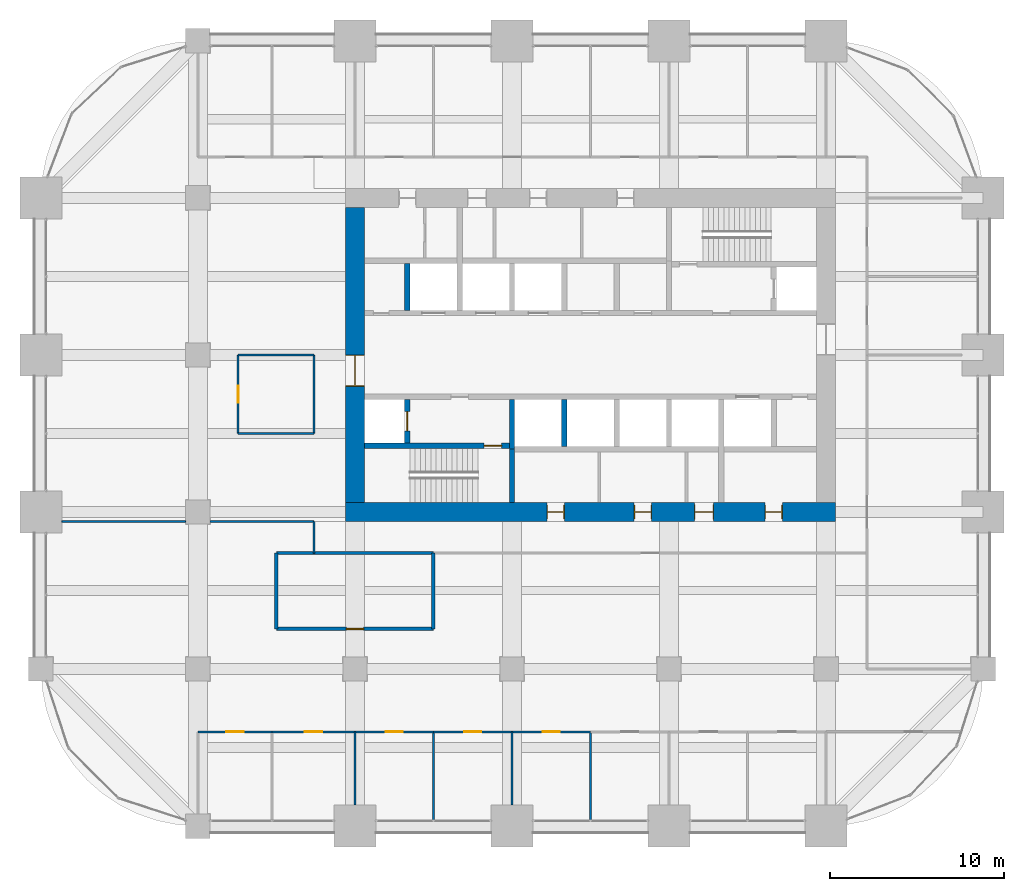
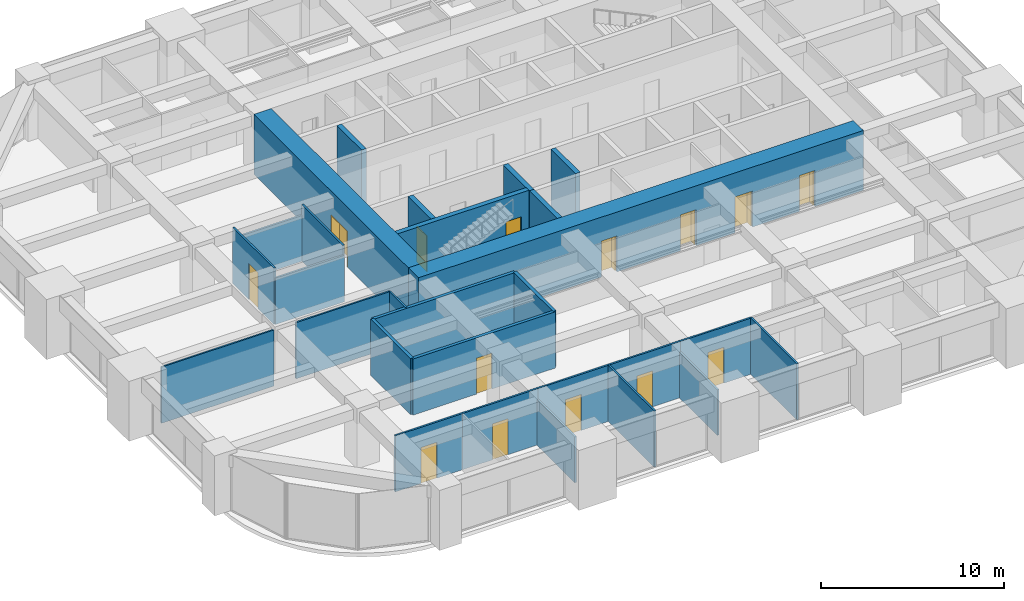
# One storey, part 29 of 33: 28 walls, 14 doors, 14 openings.
"""IFC4 building model written with IfcOpenShell, lengths in metres."""

from ifc_helpers import new_model, si_unit, direction, frame, frame_2d, origin, place, context, subcontext, project, spatial, rectangle, extrude, material, layer, layer_set, type_object, element, fill, save


model = new_model("IFC4")

# Units and contexts
model_context = context("Model", 3, precision=1e-05, world=origin(), true_north=direction((0.0, 1.0)))
body_context = subcontext(model_context, "Body", "Model", "MODEL_VIEW")
ifc_project = project(units=[si_unit("LENGTHUNIT", "METRE"), si_unit("AREAUNIT", "SQUARE_METRE"), si_unit("VOLUMEUNIT", "CUBIC_METRE"), si_unit("PLANEANGLEUNIT", "RADIAN"), si_unit("MASSUNIT", "GRAM", prefix="KILO")], contexts=[model_context])

# Site, building, storey
site_placement = place(None, origin())
site = spatial("IfcSite", under=ifc_project, at=site_placement, CompositionType="ELEMENT")
building_placement = place(site_placement, origin())
building = spatial("IfcBuilding", under=site, at=building_placement, Name="Zorevar Civic Tower", CompositionType="ELEMENT")
storey_placement = place(building_placement, frame((0.0, 0.0, 206.199951171875)))
storey = spatial("IfcBuildingStorey", under=building, at=storey_placement, Name="L50", CompositionType="ELEMENT", Elevation=206.199951171875)

# Wall, opening, door
ifc_material_1 = material(Name="Concrete blockwork", Category="masonry")
ifc_layer_1 = layer(ifc_material_1, 0.199951171875)
ifc_layer_set_1 = layer_set([ifc_layer_1], Name="Blockwork wall 200")
wall_type_1 = type_object("IfcWallType", Name="Blockwork wall 200", PredefinedType="SOLIDWALL", material=ifc_layer_set_1)
wall_1_placement = place(storey_placement, frame((13.5, 11.300048828125, 0.0), z_axis=(0.0, 0.0, 1.0), x_axis=(1.0, 0.0, 0.0)))
wall_1 = element("IfcWall", 1, at=wall_1_placement, inside=storey, type_object=wall_type_1, Name="Blockwork wall 200 L50", PredefinedType="SOLIDWALL", context=body_context, shape_type="SweptSolid", body=[
    extrude(rectangle(XDim=9.0, YDim=0.199951171875, at=frame_2d((4.5, 0.0))), origin(), (0.0, 0.0, 1.0), 3.75),
])
opening_1_placement = place(wall_1_placement, frame((4.0, 0.0, 0.0)))
opening_1 = element("IfcOpeningElement", 2, at=opening_1_placement, cuts=wall_1, Name="Opening L50.26", PredefinedType="OPENING", context=body_context, shape_type="SweptSolid", body=[
    extrude(rectangle(XDim=1.0, YDim=2.39990234375, at=frame_2d((0.5, 1.199951171875))), frame((0.0, 0.10986328125, 0.0), z_axis=(0.0, -1.0, 0.0), x_axis=(1.0, 0.0, 0.0)), (0.0, 0.0, 1.0), 0.219970703125),
])
ifc_material_2 = material(Name="Steel door set", Category="steel")
door_type_1 = type_object("IfcDoorType", Name="Security door SD1 1000x2400", OperationType="SINGLE_SWING_LEFT", PredefinedType="DOOR", material=ifc_material_2)
door_1_placement = place(opening_1_placement, origin())
door_1 = element("IfcDoor", 3, at=door_1_placement, inside=storey, type_object=door_type_1, Name="Door L50 D1", OperationType="SINGLE_SWING_LEFT", OverallHeight=2.39990234375, OverallWidth=1.0, PredefinedType="DOOR", context=body_context, shape_type="SweptSolid", body=[
    extrude(rectangle(XDim=1.0, YDim=2.39990234375, at=frame_2d((0.5, 1.199951171875))), frame((0.0, 0.03515625, 0.0), z_axis=(0.0, -1.0, 0.0), x_axis=(1.0, 0.0, 0.0)), (0.0, 0.0, 1.0), 0.070068359375),
])
fill(opening_1, door_1)

# Walls
wall_2_placement = place(storey_placement, frame((13.5, 15.64990234375, 0.0), z_axis=(0.0, 0.0, 1.0), x_axis=(1.0, 0.0, 0.0)))
element("IfcWall", 4, at=wall_2_placement, inside=storey, type_object=wall_type_1, Name="Blockwork wall 200 L50", PredefinedType="SOLIDWALL", context=body_context, shape_type="SweptSolid", body=[
    extrude(rectangle(XDim=9.0, YDim=0.199951171875, at=frame_2d((4.5, 0.0))), origin(), (0.0, 0.0, 1.0), 3.75),
])
for number, where, z_axis, x_axis, name in (
    (5, (13.5, 11.300048828125, 0.0), (0.0, 0.0, 1.0), (0.0, 1.0, 0.0), "Blockwork wall 200 L50"),
    (6, (22.5, 11.300048828125, 0.0), (0.0, 0.0, 1.0), (0.0, 1.0, 0.0), "Blockwork wall 200 L50"),
):
    element("IfcWall", number, at=place(storey_placement, frame(where, z_axis=z_axis, x_axis=x_axis)), inside=storey, type_object=wall_type_1, Name=name, PredefinedType="SOLIDWALL", context=body_context, shape_type="SweptSolid", body=[
        extrude(rectangle(XDim=4.349853515625, YDim=0.199951171875, at=frame_2d((2.1748046875, 0.0))), origin(), (0.0, 0.0, 1.0), 3.75),
    ])

# Wall, openings, doors
ifc_material_3 = material(Name="Concrete C50/60", Category="concrete")
ifc_layer_2 = layer(ifc_material_3, 1.10009765625)
ifc_layer_set_2 = layer_set([ifc_layer_2], Name="Core wall 1100")
wall_type_2 = type_object("IfcWallType", Name="Core wall 1100", PredefinedType="SHEAR", material=ifc_layer_set_2)
wall_3_placement = place(storey_placement, frame((17.449951171875, 18.0, 0.0), z_axis=(0.0, 0.0, 1.0), x_axis=(1.0, 0.0, 0.0)))
wall_3 = element("IfcWall", 7, at=wall_3_placement, inside=storey, type_object=wall_type_2, Name="Core wall S L50", PredefinedType="SHEAR", context=body_context, shape_type="SweptSolid", body=[
    extrude(rectangle(XDim=28.10009765625, YDim=1.10009765625, at=frame_2d((14.050048828125, 0.0))), origin(), (0.0, 0.0, 1.0), 4.0),
])
opening_2_placement = place(wall_3_placement, frame((11.550048828125, 0.0, 0.0)))
opening_2 = element("IfcOpeningElement", 8, at=opening_2_placement, cuts=wall_3, Name="Opening L50.03", PredefinedType="OPENING", context=body_context, shape_type="SweptSolid", body=[
    extrude(rectangle(XDim=1.0, YDim=2.39990234375, at=frame_2d((0.5, 1.199951171875))), frame((0.0, 0.56005859375, 0.0), z_axis=(0.0, -1.0, 0.0), x_axis=(1.0, 0.0, 0.0)), (0.0, 0.0, 1.0), 1.1201171875),
])
opening_3_placement = place(wall_3_placement, frame((16.550048828125, 0.0, 0.0)))
opening_3 = element("IfcOpeningElement", 9, at=opening_3_placement, cuts=wall_3, Name="Opening L50.04", PredefinedType="OPENING", context=body_context, shape_type="SweptSolid", body=[
    extrude(rectangle(XDim=1.0, YDim=2.39990234375, at=frame_2d((0.5, 1.199951171875))), frame((0.0, 0.56005859375, 0.0), z_axis=(0.0, -1.0, 0.0), x_axis=(1.0, 0.0, 0.0)), (0.0, 0.0, 1.0), 1.1201171875),
])
opening_4_placement = place(wall_3_placement, frame((20.0, 0.0, 0.0)))
opening_4 = element("IfcOpeningElement", 10, at=opening_4_placement, cuts=wall_3, Name="Opening L50.05", PredefinedType="OPENING", context=body_context, shape_type="SweptSolid", body=[
    extrude(rectangle(XDim=1.10009765625, YDim=2.39990234375, at=frame_2d((0.550048828125, 1.199951171875))), frame((0.0, 0.56005859375, 0.0), z_axis=(0.0, -1.0, 0.0), x_axis=(1.0, 0.0, 0.0)), (0.0, 0.0, 1.0), 1.1201171875),
])
opening_5_placement = place(wall_3_placement, frame((24.050048828125, 0.0, 0.0)))
opening_5 = element("IfcOpeningElement", 11, at=opening_5_placement, cuts=wall_3, Name="Opening L50.06", PredefinedType="OPENING", context=body_context, shape_type="SweptSolid", body=[
    extrude(rectangle(XDim=1.0, YDim=2.39990234375, at=frame_2d((0.5, 1.199951171875))), frame((0.0, 0.56005859375, 0.0), z_axis=(0.0, -1.0, 0.0), x_axis=(1.0, 0.0, 0.0)), (0.0, 0.0, 1.0), 1.1201171875),
])
ifc_material_4 = material(Name="Timber door set", Category="wood")
door_type_2 = type_object("IfcDoorType", Name="Door D1 1000x2400", OperationType="SINGLE_SWING_LEFT", PredefinedType="DOOR", material=ifc_material_4)
door_2_placement = place(opening_2_placement, origin())
door_2 = element("IfcDoor", 12, at=door_2_placement, inside=storey, type_object=door_type_2, Name="Door L50 02", OperationType="SINGLE_SWING_RIGHT", OverallHeight=2.39990234375, OverallWidth=1.0, PredefinedType="DOOR", context=body_context, shape_type="SweptSolid", body=[
    extrude(rectangle(XDim=1.0, YDim=2.39990234375, at=frame_2d((0.5, 1.199951171875))), frame((0.0, 0.02490234375, 0.0), z_axis=(0.0, -1.0, 0.0), x_axis=(1.0, 0.0, 0.0)), (0.0, 0.0, 1.0), 0.050048828125),
    extrude(rectangle(XDim=0.04, YDim=2.39990234375, at=frame_2d((0.02001953125, 1.199951171875))), frame((0.0, 0.39990234375, 0.0), z_axis=(0.0, -1.0, 0.0), x_axis=(1.0, 0.0, 0.0)), (0.0, 0.0, 1.0), 0.800048828125),
    extrude(rectangle(XDim=0.04, YDim=2.39990234375, at=frame_2d((0.97998046875, 1.199951171875))), frame((0.0, 0.39990234375, 0.0), z_axis=(0.0, -1.0, 0.0), x_axis=(1.0, 0.0, 0.0)), (0.0, 0.0, 1.0), 0.800048828125),
    extrude(rectangle(XDim=1.0, YDim=0.04, at=frame_2d((0.5, 2.3798828125))), frame((0.0, 0.39990234375, 0.0), z_axis=(0.0, -1.0, 0.0), x_axis=(1.0, 0.0, 0.0)), (0.0, 0.0, 1.0), 0.800048828125),
])
fill(opening_2, door_2)
door_3_placement = place(opening_3_placement, origin())
door_3 = element("IfcDoor", 13, at=door_3_placement, inside=storey, type_object=door_type_2, Name="Door L50 03", OperationType="SINGLE_SWING_LEFT", OverallHeight=2.39990234375, OverallWidth=1.0, PredefinedType="DOOR", context=body_context, shape_type="SweptSolid", body=[
    extrude(rectangle(XDim=1.0, YDim=2.39990234375, at=frame_2d((0.5, 1.199951171875))), frame((0.0, 0.02490234375, 0.0), z_axis=(0.0, -1.0, 0.0), x_axis=(1.0, 0.0, 0.0)), (0.0, 0.0, 1.0), 0.050048828125),
    extrude(rectangle(XDim=0.04, YDim=2.39990234375, at=frame_2d((0.02001953125, 1.199951171875))), frame((0.0, 0.39990234375, 0.0), z_axis=(0.0, -1.0, 0.0), x_axis=(1.0, 0.0, 0.0)), (0.0, 0.0, 1.0), 0.800048828125),
    extrude(rectangle(XDim=0.04, YDim=2.39990234375, at=frame_2d((0.97998046875, 1.199951171875))), frame((0.0, 0.39990234375, 0.0), z_axis=(0.0, -1.0, 0.0), x_axis=(1.0, 0.0, 0.0)), (0.0, 0.0, 1.0), 0.800048828125),
    extrude(rectangle(XDim=1.0, YDim=0.04, at=frame_2d((0.5, 2.3798828125))), frame((0.0, 0.39990234375, 0.0), z_axis=(0.0, -1.0, 0.0), x_axis=(1.0, 0.0, 0.0)), (0.0, 0.0, 1.0), 0.800048828125),
])
fill(opening_3, door_3)
door_4_placement = place(opening_5_placement, origin())
door_4 = element("IfcDoor", 14, at=door_4_placement, inside=storey, type_object=door_type_2, Name="Door L50 05", OperationType="SINGLE_SWING_LEFT", OverallHeight=2.39990234375, OverallWidth=1.0, PredefinedType="DOOR", context=body_context, shape_type="SweptSolid", body=[
    extrude(rectangle(XDim=1.0, YDim=2.39990234375, at=frame_2d((0.5, 1.199951171875))), frame((0.0, 0.02490234375, 0.0), z_axis=(0.0, -1.0, 0.0), x_axis=(1.0, 0.0, 0.0)), (0.0, 0.0, 1.0), 0.050048828125),
    extrude(rectangle(XDim=0.04, YDim=2.39990234375, at=frame_2d((0.02001953125, 1.199951171875))), frame((0.0, 0.39990234375, 0.0), z_axis=(0.0, -1.0, 0.0), x_axis=(1.0, 0.0, 0.0)), (0.0, 0.0, 1.0), 0.800048828125),
    extrude(rectangle(XDim=0.04, YDim=2.39990234375, at=frame_2d((0.97998046875, 1.199951171875))), frame((0.0, 0.39990234375, 0.0), z_axis=(0.0, -1.0, 0.0), x_axis=(1.0, 0.0, 0.0)), (0.0, 0.0, 1.0), 0.800048828125),
    extrude(rectangle(XDim=1.0, YDim=0.04, at=frame_2d((0.5, 2.3798828125))), frame((0.0, 0.39990234375, 0.0), z_axis=(0.0, -1.0, 0.0), x_axis=(1.0, 0.0, 0.0)), (0.0, 0.0, 1.0), 0.800048828125),
])
fill(opening_5, door_4)
ifc_material_5 = material(Name="Timber door set", Category="wood")
door_type_3 = type_object("IfcDoorType", Name="Door D5 1100x2400", OperationType="SINGLE_SWING_LEFT", PredefinedType="DOOR", material=ifc_material_5)
door_5_placement = place(opening_4_placement, origin())
door_5 = element("IfcDoor", 15, at=door_5_placement, inside=storey, type_object=door_type_3, Name="Door L50 04", OperationType="SINGLE_SWING_LEFT", OverallHeight=2.39990234375, OverallWidth=1.10009765625, PredefinedType="DOOR", context=body_context, shape_type="SweptSolid", body=[
    extrude(rectangle(XDim=1.10009765625, YDim=2.39990234375, at=frame_2d((0.550048828125, 1.199951171875))), frame((0.0, 0.02490234375, 0.0), z_axis=(0.0, -1.0, 0.0), x_axis=(1.0, 0.0, 0.0)), (0.0, 0.0, 1.0), 0.050048828125),
    extrude(rectangle(XDim=0.04, YDim=2.39990234375, at=frame_2d((0.02001953125, 1.199951171875))), frame((0.0, 0.43994140625, 0.0), z_axis=(0.0, -1.0, 0.0), x_axis=(1.0, 0.0, 0.0)), (0.0, 0.0, 1.0), 0.880126953125),
    extrude(rectangle(XDim=0.04, YDim=2.39990234375, at=frame_2d((1.080078125, 1.199951171875))), frame((0.0, 0.43994140625, 0.0), z_axis=(0.0, -1.0, 0.0), x_axis=(1.0, 0.0, 0.0)), (0.0, 0.0, 1.0), 0.880126953125),
    extrude(rectangle(XDim=1.10009765625, YDim=0.04, at=frame_2d((0.550048828125, 2.3798828125))), frame((0.0, 0.43994140625, 0.0), z_axis=(0.0, -1.0, 0.0), x_axis=(1.0, 0.0, 0.0)), (0.0, 0.0, 1.0), 0.880126953125),
])
fill(opening_4, door_5)

# Wall, opening, door
wall_4_placement = place(storey_placement, frame((18.0, 35.449951171875, 0.0), z_axis=(0.0, 0.0, 1.0), x_axis=(0.0, -1.0, 0.0)))
wall_4 = element("IfcWall", 16, at=wall_4_placement, inside=storey, type_object=wall_type_2, Name="Core wall W L50", PredefinedType="SHEAR", context=body_context, shape_type="SweptSolid", body=[
    extrude(rectangle(XDim=16.89990234375, YDim=1.10009765625, at=frame_2d((8.449951171875, 0.0))), origin(), (0.0, 0.0, 1.0), 4.0),
])
opening_6_placement = place(wall_4_placement, frame((8.449951171875, 0.0, 0.0)))
opening_6 = element("IfcOpeningElement", 17, at=opening_6_placement, cuts=wall_4, Name="Opening L50.01", PredefinedType="OPENING", context=body_context, shape_type="SweptSolid", body=[
    extrude(rectangle(XDim=1.800048828125, YDim=2.39990234375, at=frame_2d((0.89990234375, 1.199951171875))), frame((0.0, 0.56005859375, 0.0), z_axis=(0.0, -1.0, 0.0), x_axis=(1.0, 0.0, 0.0)), (0.0, 0.0, 1.0), 1.1201171875),
])
ifc_material_6 = material(Name="Steel door set", Category="steel")
door_type_4 = type_object("IfcDoorType", Name="Fire door FD2 1800x2400", OperationType="DOUBLE_DOOR_DOUBLE_SWING", PredefinedType="DOOR", material=ifc_material_6)
door_6_placement = place(opening_6_placement, origin())
door_6 = element("IfcDoor", 18, at=door_6_placement, inside=storey, type_object=door_type_4, Name="Door L50 00", OperationType="DOUBLE_DOOR_DOUBLE_SWING", OverallHeight=2.39990234375, OverallWidth=1.800048828125, PredefinedType="DOOR", context=body_context, shape_type="SweptSolid", body=[
    extrude(rectangle(XDim=1.800048828125, YDim=2.39990234375, at=frame_2d((0.89990234375, 1.199951171875))), frame((0.0, 0.030029296875, 0.0), z_axis=(0.0, -1.0, 0.0), x_axis=(1.0, 0.0, 0.0)), (0.0, 0.0, 1.0), 0.06005859375),
    extrude(rectangle(XDim=0.04, YDim=2.39990234375, at=frame_2d((0.02001953125, 1.199951171875))), frame((0.0, 0.5498046875, 0.0), z_axis=(0.0, -1.0, 0.0), x_axis=(1.0, 0.0, 0.0)), (0.0, 0.0, 1.0), 1.099609375),
    extrude(rectangle(XDim=0.04, YDim=2.39990234375, at=frame_2d((1.780029296875, 1.199951171875))), frame((0.0, 0.5498046875, 0.0), z_axis=(0.0, -1.0, 0.0), x_axis=(1.0, 0.0, 0.0)), (0.0, 0.0, 1.0), 1.099609375),
    extrude(rectangle(XDim=1.800048828125, YDim=0.04, at=frame_2d((0.89990234375, 2.3798828125))), frame((0.0, 0.5498046875, 0.0), z_axis=(0.0, -1.0, 0.0), x_axis=(1.0, 0.0, 0.0)), (0.0, 0.0, 1.0), 1.099609375),
])
fill(opening_6, door_6)

# Walls
ifc_material_7 = material(Name="Laminated glass in black aluminium frame", Category="aluminium")
ifc_layer_3 = layer(ifc_material_7, 0.10009765625)
ifc_layer_set_3 = layer_set([ifc_layer_3], Name="Glazed partition 100")
wall_type_3 = type_object("IfcWallType", Name="Glazed partition 100", PredefinedType="PARTITIONING", material=ifc_layer_set_3)
wall_5_placement = place(storey_placement, frame((1.199951171875, 17.449951171875, 0.0), z_axis=(0.0, 0.0, 1.0), x_axis=(1.0, 0.0, 0.0)))
element("IfcWall", 19, at=wall_5_placement, inside=storey, type_object=wall_type_3, Name="Glazed partition 100 L50", PredefinedType="PARTITIONING", context=body_context, shape_type="SweptSolid", body=[
    extrude(rectangle(XDim=7.10009765625, YDim=0.10009765625, at=frame_2d((3.550048828125, 0.0))), origin(), (0.0, 0.0, 1.0), 3.75),
])
wall_6_placement = place(storey_placement, frame((9.699951171875, 17.449951171875, 0.0), z_axis=(0.0, 0.0, 1.0), x_axis=(1.0, 0.0, 0.0)))
element("IfcWall", 20, at=wall_6_placement, inside=storey, type_object=wall_type_3, Name="Glazed partition 100 L50", PredefinedType="PARTITIONING", context=body_context, shape_type="SweptSolid", body=[
    extrude(rectangle(XDim=5.949951171875, YDim=0.10009765625, at=frame_2d((2.97509765625, 0.0))), origin(), (0.0, 0.0, 1.0), 3.75),
])
wall_7_placement = place(storey_placement, frame((15.64990234375, 15.64990234375, 0.0), z_axis=(0.0, 0.0, 1.0), x_axis=(0.0, 1.0, 0.0)))
element("IfcWall", 21, at=wall_7_placement, inside=storey, type_object=wall_type_3, Name="Glazed partition 100 L50", PredefinedType="PARTITIONING", context=body_context, shape_type="SweptSolid", body=[
    extrude(rectangle(XDim=1.800048828125, YDim=0.10009765625, at=frame_2d((0.89990234375, 0.0))), origin(), (0.0, 0.0, 1.0), 3.75),
])

# Wall, opening, door
ifc_material_8 = material(Name="Concrete C40/50", Category="concrete")
ifc_layer_4 = layer(ifc_material_8, 0.300048828125)
ifc_layer_set_4 = layer_set([ifc_layer_4], Name="Inner core wall 300")
wall_type_4 = type_object("IfcWallType", Name="Inner core wall 300", PredefinedType="SHEAR", material=ifc_layer_set_4)
wall_8_placement = place(storey_placement, frame((18.550048828125, 21.800048828125, 0.0), z_axis=(0.0, 0.0, 1.0), x_axis=(1.0, 0.0, 0.0)))
wall_8 = element("IfcWall", 22, at=wall_8_placement, inside=storey, type_object=wall_type_4, Name="Inner core wall S00 L50", PredefinedType="SHEAR", context=body_context, shape_type="SweptSolid", body=[
    extrude(rectangle(XDim=8.300048828125, YDim=0.300048828125, at=frame_2d((4.14990234375, 0.0))), origin(), (0.0, 0.0, 1.0), 4.0),
])
opening_7_placement = place(wall_8_placement, frame((6.85009765625, 0.0, 0.0)))
opening_7 = element("IfcOpeningElement", 23, at=opening_7_placement, cuts=wall_8, Name="Opening L50.11", PredefinedType="OPENING", context=body_context, shape_type="SweptSolid", body=[
    extrude(rectangle(XDim=1.0, YDim=2.39990234375, at=frame_2d((0.5, 1.199951171875))), frame((0.0, 0.159912109375, 0.0), z_axis=(0.0, -1.0, 0.0), x_axis=(1.0, 0.0, 0.0)), (0.0, 0.0, 1.0), 0.320068359375),
])
ifc_material_9 = material(Name="Steel door set", Category="steel")
door_type_5 = type_object("IfcDoorType", Name="Fire door FD1 1000x2400", OperationType="SINGLE_SWING_LEFT", PredefinedType="DOOR", material=ifc_material_9)
door_7_placement = place(opening_7_placement, origin())
door_7 = element("IfcDoor", 24, at=door_7_placement, inside=storey, type_object=door_type_5, Name="Door L50 10", OperationType="SINGLE_SWING_RIGHT", OverallHeight=2.39990234375, OverallWidth=1.0, PredefinedType="DOOR", context=body_context, shape_type="SweptSolid", body=[
    extrude(rectangle(XDim=1.0, YDim=2.39990234375, at=frame_2d((0.5, 1.199951171875))), frame((0.0, 0.030029296875, 0.0), z_axis=(0.0, -1.0, 0.0), x_axis=(1.0, 0.0, 0.0)), (0.0, 0.0, 1.0), 0.06005859375),
])
fill(opening_7, door_7)

# Wall
wall_9_placement = place(storey_placement, frame((27.0, 18.550048828125, 0.0), z_axis=(0.0, 0.0, 1.0), x_axis=(0.0, 1.0, 0.0)))
element("IfcWall", 25, at=wall_9_placement, inside=storey, type_object=wall_type_4, Name="Inner core wall S01 L50", PredefinedType="SHEAR", context=body_context, shape_type="SweptSolid", body=[
    extrude(rectangle(XDim=3.050048828125, YDim=0.300048828125, at=frame_2d((1.52490234375, 0.0))), origin(), (0.0, 0.0, 1.0), 4.0),
])

# Wall, opening, door
wall_10_placement = place(storey_placement, frame((21.0, 21.949951171875, 0.0), z_axis=(0.0, 0.0, 1.0), x_axis=(0.0, 1.0, 0.0)))
wall_10 = element("IfcWall", 26, at=wall_10_placement, inside=storey, type_object=wall_type_4, Name="Inner core wall S02 L50", PredefinedType="SHEAR", context=body_context, shape_type="SweptSolid", body=[
    extrude(rectangle(XDim=2.5, YDim=0.300048828125, at=frame_2d((1.25, 0.0))), origin(), (0.0, 0.0, 1.0), 4.0),
])
opening_8_placement = place(wall_10_placement, frame((0.699951171875, 0.0, 0.0)))
opening_8 = element("IfcOpeningElement", 27, at=opening_8_placement, cuts=wall_10, Name="Opening L50.FL1", PredefinedType="OPENING", context=body_context, shape_type="SweptSolid", body=[
    extrude(rectangle(XDim=1.10009765625, YDim=2.39990234375, at=frame_2d((0.550048828125, 1.199951171875))), frame((0.0, 0.159912109375, 0.0), z_axis=(0.0, -1.0, 0.0), x_axis=(1.0, 0.0, 0.0)), (0.0, 0.0, 1.0), 0.320068359375),
])
ifc_material_10 = material(Name="Steel door set", Category="steel")
door_type_6 = type_object("IfcDoorType", Name="Firefighting lift landing door LD3 1100x2400", OperationType="DOUBLE_DOOR_SLIDING", PredefinedType="DOOR", material=ifc_material_10)
door_8_placement = place(opening_8_placement, origin())
door_8 = element("IfcDoor", 28, at=door_8_placement, inside=storey, type_object=door_type_6, Name="Landing door FL1 L50", OperationType="DOUBLE_DOOR_SLIDING", OverallHeight=2.39990234375, OverallWidth=1.10009765625, PredefinedType="DOOR", context=body_context, shape_type="SweptSolid", body=[
    extrude(rectangle(XDim=1.10009765625, YDim=2.39990234375, at=frame_2d((0.550048828125, 1.199951171875))), frame((0.0, 0.030029296875, 0.0), z_axis=(0.0, -1.0, 0.0), x_axis=(1.0, 0.0, 0.0)), (0.0, 0.0, 1.0), 0.06005859375),
])
fill(opening_8, door_8)

# Walls
for number, where, z_axis, x_axis, name in (
    (29, (30.0, 21.75, 0.0), (0.0, 0.0, 1.0), (0.0, 1.0, 0.0), "Inner core wall S05 L50"),
    (30, (21.0, 29.550048828125, 0.0), (0.0, 0.0, 1.0), (0.0, 1.0, 0.0), "Inner core wall N09 L50"),
):
    element("IfcWall", number, at=place(storey_placement, frame(where, z_axis=z_axis, x_axis=x_axis)), inside=storey, type_object=wall_type_4, Name=name, PredefinedType="SHEAR", context=body_context, shape_type="SweptSolid", body=[
        extrude(rectangle(XDim=2.699951171875, YDim=0.300048828125, at=frame_2d((1.35009765625, 0.0))), origin(), (0.0, 0.0, 1.0), 4.0),
    ])
wall_11_placement = place(storey_placement, frame((27.0, 21.60009765625, 0.0), z_axis=(0.0, 0.0, 1.0), x_axis=(0.0, 1.0, 0.0)))
element("IfcWall", 31, at=wall_11_placement, inside=storey, type_object=wall_type_4, Name="Inner core wall S10 L50", PredefinedType="SHEAR", context=body_context, shape_type="SweptSolid", body=[
    extrude(rectangle(XDim=2.849853515625, YDim=0.300048828125, at=frame_2d((1.4248046875, 0.0))), origin(), (0.0, 0.0, 1.0), 4.0),
])

# Wall, opening, door
ifc_material_11 = material(Name="Gypsum board on steel studs", Category="steel")
ifc_layer_5 = layer(ifc_material_11, 0.1201171875)
ifc_layer_set_5 = layer_set([ifc_layer_5], Name="Partition 120")
wall_type_5 = type_object("IfcWallType", Name="Partition 120", PredefinedType="PARTITIONING", material=ifc_layer_set_5)
wall_12_placement = place(storey_placement, frame((9.0, 5.39990234375, 0.0), z_axis=(0.0, 0.0, 1.0), x_axis=(1.0, 0.0, 0.0)))
wall_12 = element("IfcWall", 32, at=wall_12_placement, inside=storey, type_object=wall_type_5, Name="Partition 120 L50", PredefinedType="PARTITIONING", context=body_context, shape_type="SweptSolid", body=[
    extrude(rectangle(XDim=4.25, YDim=0.1201171875, at=frame_2d((2.125, 0.0))), origin(), (0.0, 0.0, 1.0), 3.75),
])
opening_9_placement = place(wall_12_placement, frame((1.625, 0.0, 0.0)))
opening_9 = element("IfcOpeningElement", 33, at=opening_9_placement, cuts=wall_12, Name="Opening L50.17", PredefinedType="OPENING", context=body_context, shape_type="SweptSolid", body=[
    extrude(rectangle(XDim=1.0, YDim=2.39990234375, at=frame_2d((0.5, 1.199951171875))), frame((0.0, 0.070068359375, 0.0), z_axis=(0.0, -1.0, 0.0), x_axis=(1.0, 0.0, 0.0)), (0.0, 0.0, 1.0), 0.14013671875),
])
door_9_placement = place(opening_9_placement, origin())
door_9 = element("IfcDoor", 34, at=door_9_placement, inside=storey, type_object=door_type_2, Name="Door L50 D1", OperationType="SINGLE_SWING_RIGHT", OverallHeight=2.39990234375, OverallWidth=1.0, PredefinedType="DOOR", context=body_context, shape_type="SweptSolid", body=[
    extrude(rectangle(XDim=1.0, YDim=2.39990234375, at=frame_2d((0.5, 1.199951171875))), frame((0.0, 0.02490234375, 0.0), z_axis=(0.0, -1.0, 0.0), x_axis=(1.0, 0.0, 0.0)), (0.0, 0.0, 1.0), 0.050048828125),
])
fill(opening_9, door_9)

wall_13_placement = place(storey_placement, frame((13.25, 5.39990234375, 0.0), z_axis=(0.0, 0.0, 1.0), x_axis=(1.0, 0.0, 0.0)))
wall_13 = element("IfcWall", 35, at=wall_13_placement, inside=storey, type_object=wall_type_5, Name="Partition 120 L50", PredefinedType="PARTITIONING", context=body_context, shape_type="SweptSolid", body=[
    extrude(rectangle(XDim=4.75, YDim=0.1201171875, at=frame_2d((2.375, 0.0))), origin(), (0.0, 0.0, 1.0), 3.75),
])
opening_10_placement = place(wall_13_placement, frame((1.875, 0.0, 0.0)))
opening_10 = element("IfcOpeningElement", 36, at=opening_10_placement, cuts=wall_13, Name="Opening L50.18", PredefinedType="OPENING", context=body_context, shape_type="SweptSolid", body=[
    extrude(rectangle(XDim=1.0, YDim=2.39990234375, at=frame_2d((0.5, 1.199951171875))), frame((0.0, 0.070068359375, 0.0), z_axis=(0.0, -1.0, 0.0), x_axis=(1.0, 0.0, 0.0)), (0.0, 0.0, 1.0), 0.14013671875),
])
door_10_placement = place(opening_10_placement, origin())
door_10 = element("IfcDoor", 37, at=door_10_placement, inside=storey, type_object=door_type_2, Name="Door L50 D1", OperationType="SINGLE_SWING_RIGHT", OverallHeight=2.39990234375, OverallWidth=1.0, PredefinedType="DOOR", context=body_context, shape_type="SweptSolid", body=[
    extrude(rectangle(XDim=1.0, YDim=2.39990234375, at=frame_2d((0.5, 1.199951171875))), frame((0.0, 0.02490234375, 0.0), z_axis=(0.0, -1.0, 0.0), x_axis=(1.0, 0.0, 0.0)), (0.0, 0.0, 1.0), 0.050048828125),
])
fill(opening_10, door_10)

wall_14_placement = place(storey_placement, frame((18.0, 5.39990234375, 0.0), z_axis=(0.0, 0.0, 1.0), x_axis=(1.0, 0.0, 0.0)))
wall_14 = element("IfcWall", 38, at=wall_14_placement, inside=storey, type_object=wall_type_5, Name="Partition 120 L50", PredefinedType="PARTITIONING", context=body_context, shape_type="SweptSolid", body=[
    extrude(rectangle(XDim=4.5, YDim=0.1201171875, at=frame_2d((2.25, 0.0))), origin(), (0.0, 0.0, 1.0), 3.75),
])
opening_11_placement = place(wall_14_placement, frame((1.75, 0.0, 0.0)))
opening_11 = element("IfcOpeningElement", 39, at=opening_11_placement, cuts=wall_14, Name="Opening L50.19", PredefinedType="OPENING", context=body_context, shape_type="SweptSolid", body=[
    extrude(rectangle(XDim=1.0, YDim=2.39990234375, at=frame_2d((0.5, 1.199951171875))), frame((0.0, 0.070068359375, 0.0), z_axis=(0.0, -1.0, 0.0), x_axis=(1.0, 0.0, 0.0)), (0.0, 0.0, 1.0), 0.14013671875),
])
door_11_placement = place(opening_11_placement, origin())
door_11 = element("IfcDoor", 40, at=door_11_placement, inside=storey, type_object=door_type_2, Name="Door L50 D1", OperationType="SINGLE_SWING_RIGHT", OverallHeight=2.39990234375, OverallWidth=1.0, PredefinedType="DOOR", context=body_context, shape_type="SweptSolid", body=[
    extrude(rectangle(XDim=1.0, YDim=2.39990234375, at=frame_2d((0.5, 1.199951171875))), frame((0.0, 0.02490234375, 0.0), z_axis=(0.0, -1.0, 0.0), x_axis=(1.0, 0.0, 0.0)), (0.0, 0.0, 1.0), 0.050048828125),
])
fill(opening_11, door_11)

wall_15_placement = place(storey_placement, frame((22.5, 5.39990234375, 0.0), z_axis=(0.0, 0.0, 1.0), x_axis=(1.0, 0.0, 0.0)))
wall_15 = element("IfcWall", 41, at=wall_15_placement, inside=storey, type_object=wall_type_5, Name="Partition 120 L50", PredefinedType="PARTITIONING", context=body_context, shape_type="SweptSolid", body=[
    extrude(rectangle(XDim=4.5, YDim=0.1201171875, at=frame_2d((2.25, 0.0))), origin(), (0.0, 0.0, 1.0), 3.75),
])
opening_12_placement = place(wall_15_placement, frame((1.75, 0.0, 0.0)))
opening_12 = element("IfcOpeningElement", 42, at=opening_12_placement, cuts=wall_15, Name="Opening L50.20", PredefinedType="OPENING", context=body_context, shape_type="SweptSolid", body=[
    extrude(rectangle(XDim=1.0, YDim=2.39990234375, at=frame_2d((0.5, 1.199951171875))), frame((0.0, 0.070068359375, 0.0), z_axis=(0.0, -1.0, 0.0), x_axis=(1.0, 0.0, 0.0)), (0.0, 0.0, 1.0), 0.14013671875),
])
door_12_placement = place(opening_12_placement, origin())
door_12 = element("IfcDoor", 43, at=door_12_placement, inside=storey, type_object=door_type_2, Name="Door L50 D1", OperationType="SINGLE_SWING_RIGHT", OverallHeight=2.39990234375, OverallWidth=1.0, PredefinedType="DOOR", context=body_context, shape_type="SweptSolid", body=[
    extrude(rectangle(XDim=1.0, YDim=2.39990234375, at=frame_2d((0.5, 1.199951171875))), frame((0.0, 0.02490234375, 0.0), z_axis=(0.0, -1.0, 0.0), x_axis=(1.0, 0.0, 0.0)), (0.0, 0.0, 1.0), 0.050048828125),
])
fill(opening_12, door_12)

wall_16_placement = place(storey_placement, frame((27.0, 5.39990234375, 0.0), z_axis=(0.0, 0.0, 1.0), x_axis=(1.0, 0.0, 0.0)))
wall_16 = element("IfcWall", 44, at=wall_16_placement, inside=storey, type_object=wall_type_5, Name="Partition 120 L50", PredefinedType="PARTITIONING", context=body_context, shape_type="SweptSolid", body=[
    extrude(rectangle(XDim=4.5, YDim=0.1201171875, at=frame_2d((2.25, 0.0))), origin(), (0.0, 0.0, 1.0), 3.75),
])
opening_13_placement = place(wall_16_placement, frame((1.75, 0.0, 0.0)))
opening_13 = element("IfcOpeningElement", 45, at=opening_13_placement, cuts=wall_16, Name="Opening L50.21", PredefinedType="OPENING", context=body_context, shape_type="SweptSolid", body=[
    extrude(rectangle(XDim=1.0, YDim=2.39990234375, at=frame_2d((0.5, 1.199951171875))), frame((0.0, 0.070068359375, 0.0), z_axis=(0.0, -1.0, 0.0), x_axis=(1.0, 0.0, 0.0)), (0.0, 0.0, 1.0), 0.14013671875),
])
door_13_placement = place(opening_13_placement, origin())
door_13 = element("IfcDoor", 46, at=door_13_placement, inside=storey, type_object=door_type_2, Name="Door L50 D1", OperationType="SINGLE_SWING_LEFT", OverallHeight=2.39990234375, OverallWidth=1.0, PredefinedType="DOOR", context=body_context, shape_type="SweptSolid", body=[
    extrude(rectangle(XDim=1.0, YDim=2.39990234375, at=frame_2d((0.5, 1.199951171875))), frame((0.0, 0.02490234375, 0.0), z_axis=(0.0, -1.0, 0.0), x_axis=(1.0, 0.0, 0.0)), (0.0, 0.0, 1.0), 0.050048828125),
])
fill(opening_13, door_13)

# Walls
wall_17_placement = place(storey_placement, frame((11.300048828125, 22.5, 0.0), z_axis=(0.0, 0.0, 1.0), x_axis=(1.0, 0.0, 0.0)))
element("IfcWall", 47, at=wall_17_placement, inside=storey, type_object=wall_type_5, Name="Partition 120 L50", PredefinedType="PARTITIONING", context=body_context, shape_type="SweptSolid", body=[
    extrude(rectangle(XDim=4.349853515625, YDim=0.1201171875, at=frame_2d((2.1748046875, 0.0))), origin(), (0.0, 0.0, 1.0), 3.10009765625),
])
wall_18_placement = place(storey_placement, frame((11.300048828125, 27.0, 0.0), z_axis=(0.0, 0.0, 1.0), x_axis=(1.0, 0.0, 0.0)))
element("IfcWall", 48, at=wall_18_placement, inside=storey, type_object=wall_type_5, Name="Partition 120 L50", PredefinedType="PARTITIONING", context=body_context, shape_type="SweptSolid", body=[
    extrude(rectangle(XDim=4.349853515625, YDim=0.1201171875, at=frame_2d((2.1748046875, 0.0))), origin(), (0.0, 0.0, 1.0), 3.050048828125),
])

# Wall, opening, door
wall_19_placement = place(storey_placement, frame((11.300048828125, 22.5, 0.0), z_axis=(0.0, 0.0, 1.0), x_axis=(0.0, 1.0, 0.0)))
wall_19 = element("IfcWall", 49, at=wall_19_placement, inside=storey, type_object=wall_type_5, Name="Partition 120 L50", PredefinedType="PARTITIONING", context=body_context, shape_type="SweptSolid", body=[
    extrude(rectangle(XDim=4.5, YDim=0.1201171875, at=frame_2d((2.25, 0.0))), origin(), (0.0, 0.0, 1.0), 3.75),
])
opening_14_placement = place(wall_19_placement, frame((1.75, 0.0, 0.0)))
opening_14 = element("IfcOpeningElement", 50, at=opening_14_placement, cuts=wall_19, Name="Opening L50.36", PredefinedType="OPENING", context=body_context, shape_type="SweptSolid", body=[
    extrude(rectangle(XDim=1.0, YDim=2.39990234375, at=frame_2d((0.5, 1.199951171875))), frame((0.0, 0.070068359375, 0.0), z_axis=(0.0, -1.0, 0.0), x_axis=(1.0, 0.0, 0.0)), (0.0, 0.0, 1.0), 0.14013671875),
])
door_14_placement = place(opening_14_placement, origin())
door_14 = element("IfcDoor", 51, at=door_14_placement, inside=storey, type_object=door_type_2, Name="Door L50 D1", OperationType="SINGLE_SWING_RIGHT", OverallHeight=2.39990234375, OverallWidth=1.0, PredefinedType="DOOR", context=body_context, shape_type="SweptSolid", body=[
    extrude(rectangle(XDim=1.0, YDim=2.39990234375, at=frame_2d((0.5, 1.199951171875))), frame((0.0, 0.02490234375, 0.0), z_axis=(0.0, -1.0, 0.0), x_axis=(1.0, 0.0, 0.0)), (0.0, 0.0, 1.0), 0.050048828125),
])
fill(opening_14, door_14)

# Walls
wall_20_placement = place(storey_placement, frame((15.64990234375, 22.5, 0.0), z_axis=(0.0, 0.0, 1.0), x_axis=(0.0, 1.0, 0.0)))
element("IfcWall", 52, at=wall_20_placement, inside=storey, type_object=wall_type_5, Name="Partition 120 L50", PredefinedType="PARTITIONING", context=body_context, shape_type="SweptSolid", body=[
    extrude(rectangle(XDim=4.5, YDim=0.1201171875, at=frame_2d((2.25, 0.0))), origin(), (0.0, 0.0, 1.0), 3.75),
])
wall_21_placement = place(storey_placement, frame((18.0, 1.199951171875, 0.0), z_axis=(0.0, 0.0, 1.0), x_axis=(0.0, 1.0, 0.0)))
element("IfcWall", 53, at=wall_21_placement, inside=storey, type_object=wall_type_5, Name="Partition 120 L50", PredefinedType="PARTITIONING", context=body_context, shape_type="SweptSolid", body=[
    extrude(rectangle(XDim=4.199951171875, YDim=0.1201171875, at=frame_2d((2.10009765625, 0.0))), origin(), (0.0, 0.0, 1.0), 3.050048828125),
])
wall_22_placement = place(storey_placement, frame((22.5, 0.31005859375, 0.0), z_axis=(0.0, 0.0, 1.0), x_axis=(0.0, 1.0, 0.0)))
element("IfcWall", 54, at=wall_22_placement, inside=storey, type_object=wall_type_5, Name="Partition 120 L50", PredefinedType="PARTITIONING", context=body_context, shape_type="SweptSolid", body=[
    extrude(rectangle(XDim=5.08984375, YDim=0.1201171875, at=frame_2d((2.544921875, 0.0))), origin(), (0.0, 0.0, 1.0), 3.75),
])
wall_23_placement = place(storey_placement, frame((27.0, 1.199951171875, 0.0), z_axis=(0.0, 0.0, 1.0), x_axis=(0.0, 1.0, 0.0)))
element("IfcWall", 55, at=wall_23_placement, inside=storey, type_object=wall_type_5, Name="Partition 120 L50", PredefinedType="PARTITIONING", context=body_context, shape_type="SweptSolid", body=[
    extrude(rectangle(XDim=4.199951171875, YDim=0.1201171875, at=frame_2d((2.10009765625, 0.0))), origin(), (0.0, 0.0, 1.0), 3.050048828125),
])
wall_24_placement = place(storey_placement, frame((31.5, 0.31005859375, 0.0), z_axis=(0.0, 0.0, 1.0), x_axis=(0.0, 1.0, 0.0)))
element("IfcWall", 56, at=wall_24_placement, inside=storey, type_object=wall_type_5, Name="Partition 120 L50", PredefinedType="PARTITIONING", context=body_context, shape_type="SweptSolid", body=[
    extrude(rectangle(XDim=5.08984375, YDim=0.1201171875, at=frame_2d((2.544921875, 0.0))), origin(), (0.0, 0.0, 1.0), 3.75),
])

save(model, "model.ifc")
